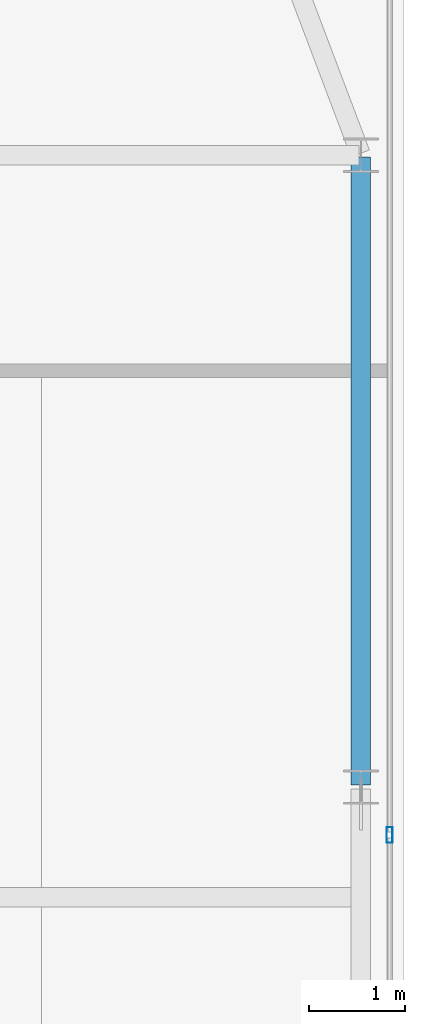
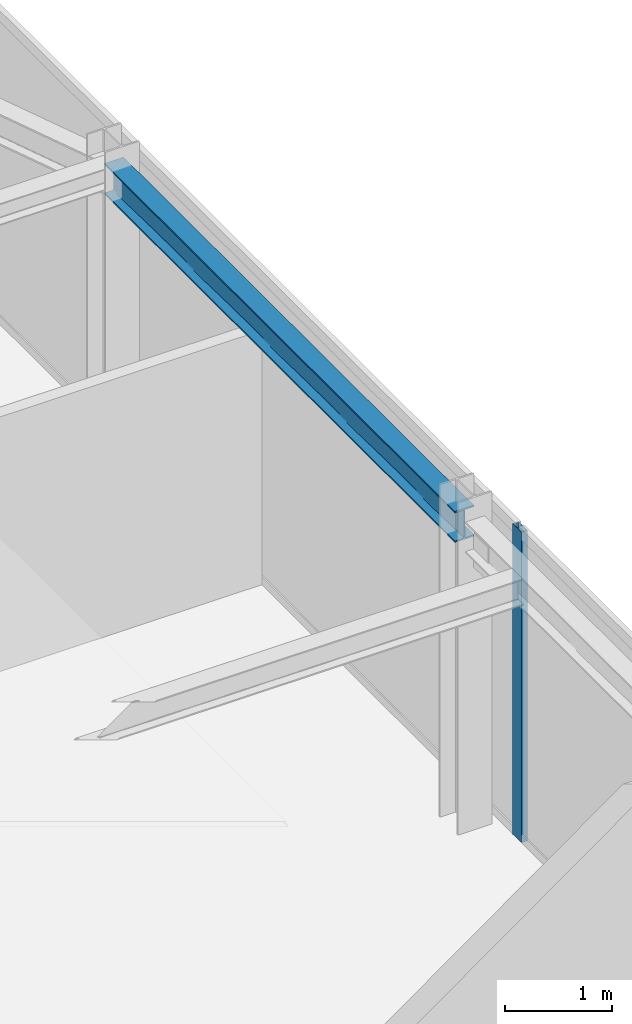
# One storey, part 15 of 25: 1 beam, 1 member, 1 element without a shape of its own.
"""IFC4 building model written with IfcOpenShell, lengths in metres."""

from ifc_helpers import new_model, si_unit, direction, frame, origin, origin_2d, place, context, subcontext, project, spatial, hollow_rectangle, i_section, extrude, source, transform, mapped, material, layer, layer_set, material_profile, profile_set, type_object, type_shapes, element, aggregate, save


model = new_model("IFC4")

# Units and contexts
model_context = context("Model", 3, precision=1e-05, world=origin(), true_north=direction((0.0, 1.0)))
body_context = subcontext(model_context, "Body", "Model", "MODEL_VIEW")
ifc_project = project(units=[si_unit("LENGTHUNIT", "METRE"), si_unit("AREAUNIT", "SQUARE_METRE"), si_unit("VOLUMEUNIT", "CUBIC_METRE"), si_unit("PLANEANGLEUNIT", "RADIAN"), si_unit("MASSUNIT", "GRAM", prefix="KILO")], contexts=[model_context])

# Site, building, storey
site_placement = place(None, origin())
site = spatial("IfcSite", under=ifc_project, at=site_placement, CompositionType="ELEMENT")
building_placement = place(site_placement, origin())
building = spatial("IfcBuilding", under=site, at=building_placement, Name="Varnel Quay Broadcast Tower", CompositionType="ELEMENT")
storey_placement = place(building_placement, frame((0.0, 0.0, 250.800048828125)))
storey = spatial("IfcBuildingStorey", under=building, at=storey_placement, Name="L62", CompositionType="ELEMENT", Elevation=250.800048828125)

# Beam
ifc_material_1 = material(Name="Structural Steel CSA G40.21 350W", Category="steel")
ifc_material_profile_1 = material_profile(ifc_material_1, i_section(OverallWidth=0.205078125, OverallDepth=0.35400390625, WebThickness=0.009521484375, FlangeThickness=0.016845703125, FilletRadius=0.012939453125, at=origin_2d()), Name="W360X79")
ifc_profile_set_1 = profile_set([ifc_material_profile_1], Name="Structural Steel CSA G40.21 350W")
beam_type = type_object("IfcBeamType", Name="Beam_W360X79", PredefinedType="SPANDREL", material=ifc_profile_set_1)
shared_shape_1 = source(origin(), body_context, "Body", "SweptSolid", [
    extrude(i_section(OverallWidth=0.205078125, OverallDepth=0.35400390625, WebThickness=0.009521484375, FlangeThickness=0.016845703125, FilletRadius=0.012939453125, at=origin_2d()), origin(), (0.0, 0.0, 1.0), 6.56005859375),
])
type_shapes(beam_type, [shared_shape_1])
beam_placement = place(storey_placement, frame((58.050048828125, 29.02001953125, 3.373046875), z_axis=(0.0, 1.0, 0.0), x_axis=(-1.0, 0.0, 0.0)))
element("IfcBeam", 1, at=beam_placement, inside=storey, type_object=beam_type, Name="L62 East Spandrel TC-E2-TC-E3", PredefinedType="SPANDREL", context=body_context, shape_type="MappedRepresentation", body=[
    mapped(shared_shape_1, transform((0.0, 0.0, 0.0), x_axis=(1.0, 0.0, 0.0), y_axis=(0.0, 1.0, 0.0), z_axis=(0.0, 0.0, 1.0), scale=1.0)),
])

# Curtain wall, member
ifc_material_2 = material(Name="Anodised Bronze Aluminium 6063-T6", Category="aluminium")
ifc_layer = layer(ifc_material_2, 0.18994140625, Name="Anodised Bronze Aluminium 6063-T6")
ifc_layer_set = layer_set([ifc_layer], Name="Anodised Bronze Aluminium 6063-T6")
curtain_wall_type = type_object("IfcCurtainWallType", Name="CW_UpperTower", PredefinedType="NOTDEFINED", material=ifc_layer_set)
curtain_wall_placement = place(storey_placement, origin())
curtain_wall = element("IfcCurtainWall", 2, at=curtain_wall_placement, inside=storey, type_object=curtain_wall_type, Name="L62 East Unitised Curtain Wall", PredefinedType="NOTDEFINED")
ifc_material_profile_2 = material_profile(ifc_material_2, hollow_rectangle(XDim=0.06494140625, YDim=0.1650390625, WallThickness=0.00341796875, at=origin_2d()), Name="ALU65X165X3.5")
ifc_profile_set_2 = profile_set([ifc_material_profile_2], Name="Anodised Bronze Aluminium 6063-T6")
member_type = type_object("IfcMemberType", Name="Mull_CWS-03", PredefinedType="MULLION", material=ifc_profile_set_2)
shared_shape_2 = source(origin(), body_context, "Body", "SweptSolid", [
    extrude(hollow_rectangle(XDim=0.06494140625, YDim=0.1650390625, WallThickness=0.00341796875, at=origin_2d()), origin(), (0.0, 0.0, 1.0), 3.550048828125),
])
type_shapes(member_type, [shared_shape_2])
member_placement = place(storey_placement, frame((58.35009765625, 28.5, 0.0), z_axis=(0.0, 0.0, 1.0), x_axis=(-1.0, 0.0, 0.0)))
member = element("IfcMember", 3, at=member_placement, type_object=member_type, Name="CWS-03 mullion 2", PredefinedType="MULLION", context=body_context, shape_type="MappedRepresentation", body=[
    mapped(shared_shape_2, transform((0.0, 0.0, 0.0), x_axis=(1.0, 0.0, 0.0), y_axis=(0.0, 1.0, 0.0), z_axis=(0.0, 0.0, 1.0), scale=1.0)),
])
aggregate(curtain_wall, [member])

save(model, "model.ifc")
